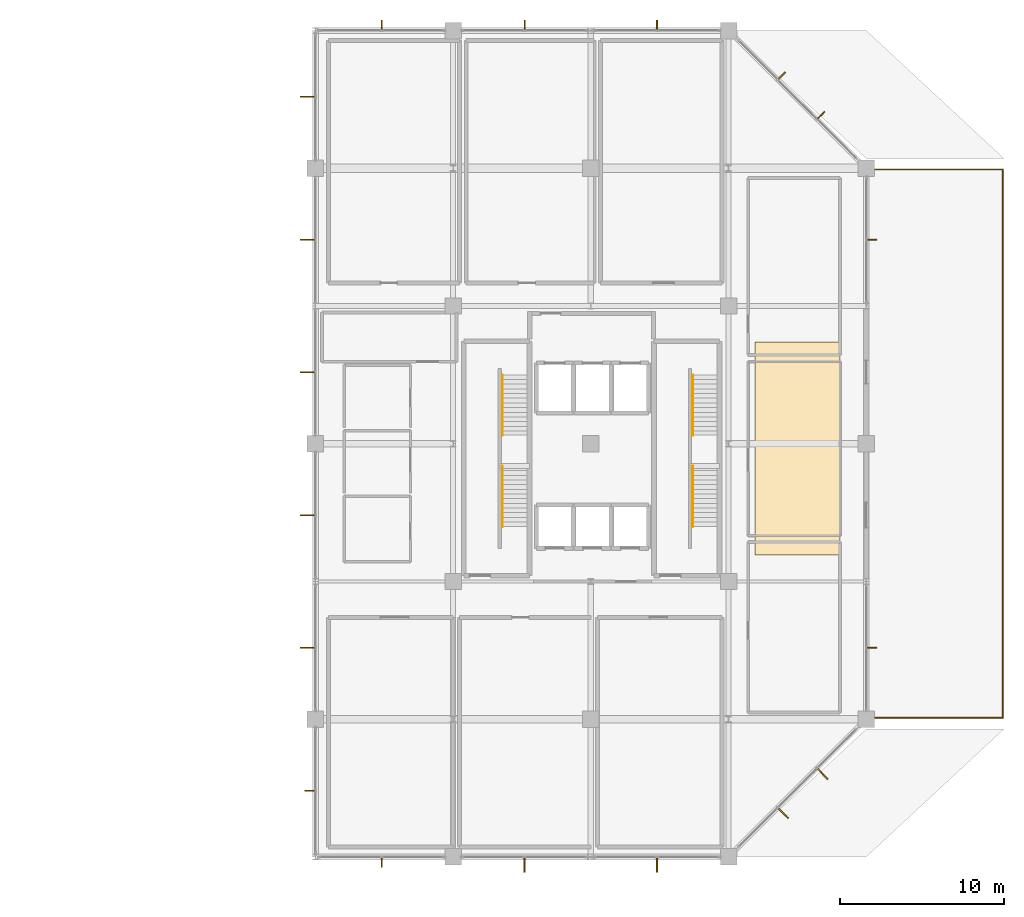
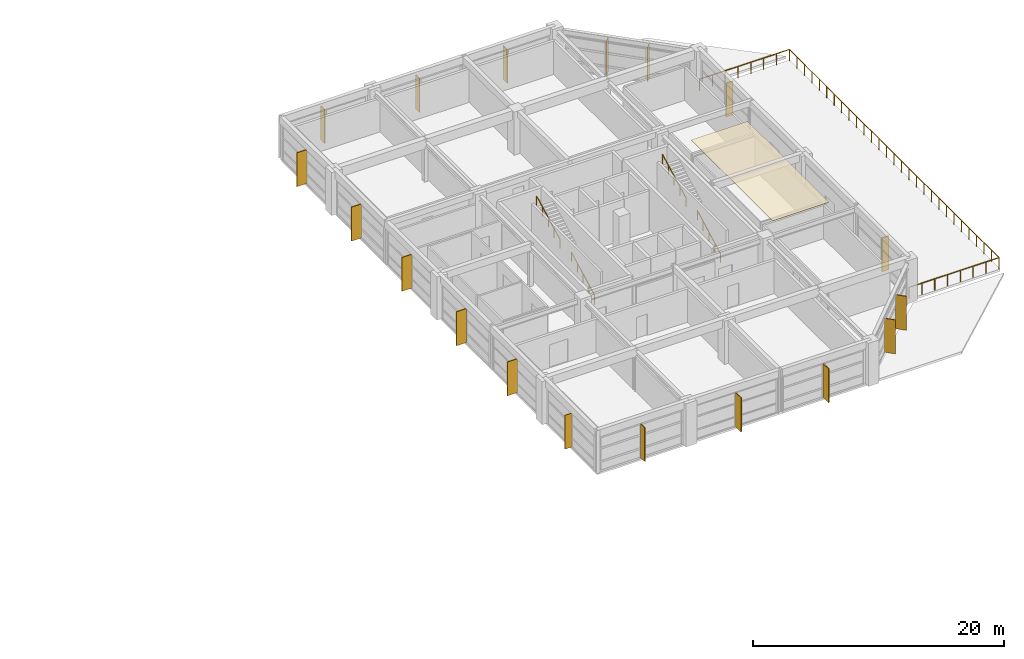
# One storey, part 21 of 21: 18 shading devices, 5 railings, 1 covering.
"""IFC4 building model written with IfcOpenShell, lengths in metres."""

from ifc_helpers import new_model, si_unit, direction, frame, origin, origin_2d, place, context, subcontext, project, spatial, polyline, rectangle, circle, outline, extrude, material, layer, layer_set, type_object, element, save


model = new_model("IFC4")

# Units and contexts
model_context = context("Model", 3, precision=1e-05, world=origin(), true_north=direction((0.0, 1.0)))
body_context = subcontext(model_context, "Body", "Model", "MODEL_VIEW")
ifc_project = project(units=[si_unit("LENGTHUNIT", "METRE"), si_unit("AREAUNIT", "SQUARE_METRE"), si_unit("VOLUMEUNIT", "CUBIC_METRE"), si_unit("PLANEANGLEUNIT", "RADIAN"), si_unit("MASSUNIT", "GRAM", prefix="KILO")], contexts=[model_context])

# Site, building, storey
site_placement = place(None, origin())
site = spatial("IfcSite", under=ifc_project, at=site_placement, CompositionType="ELEMENT")
building_placement = place(site_placement, origin())
building = spatial("IfcBuilding", under=site, at=building_placement, Name="Xuanlan Plaza Opera House", CompositionType="ELEMENT")
storey_placement = place(building_placement, frame((0.0, 0.0, 44.699951171875)))
storey = spatial("IfcBuildingStorey", under=building, at=storey_placement, Name="L10", CompositionType="ELEMENT", Elevation=44.699951171875)

# Railing
ifc_material_1 = material(Name="Stainless Steel S30408", Category="steel")
railing_type_1 = type_object("IfcRailingType", Name="ENV-RL-GR02", PredefinedType="GUARDRAIL", material=ifc_material_1)
railing_placement = place(storey_placement, frame((159.64990234375, 42.080078125, 0.0)))
element("IfcRailing", 1, at=railing_placement, inside=storey, type_object=railing_type_1, Name="Terrace Perimeter Guardrail TERR-L10", PredefinedType="GUARDRAIL", context=body_context, shape_type="SweptSolid", body=[
    extrude(circle(Radius=0.02392578125, at=origin_2d()), frame((0.0, 0.0, 1.09619140625), z_axis=(1.0, 0.0, 0.0), x_axis=(0.0, 1.0, 0.0)), (0.0, 0.0, 1.0), 8.27001953125),
    extrude(circle(Radius=0.02392578125, at=origin_2d()), frame((8.27001953125, 0.0, 1.09619140625), z_axis=(0.0, 1.0, 0.0), x_axis=(-1.0, 0.0, 0.0)), (0.0, 0.0, 1.0), 33.43994140625),
    extrude(circle(Radius=0.02392578125, at=origin_2d()), frame((8.27001953125, 33.43994140625, 1.09619140625), z_axis=(-1.0, 0.0, 0.0), x_axis=(0.0, -1.0, 0.0)), (0.0, 0.0, 1.0), 8.27001953125),
    extrude(circle(Radius=0.02099609375, at=origin_2d()), origin(), (0.0, 0.0, 1.0), 1.072021484375),
    extrude(circle(Radius=0.02099609375, at=origin_2d()), frame((1.181396484375, 0.0, 0.0)), (0.0, 0.0, 1.0), 1.072021484375),
    extrude(circle(Radius=0.02099609375, at=origin_2d()), frame((2.36279296875, 0.0, 0.0)), (0.0, 0.0, 1.0), 1.072021484375),
    extrude(circle(Radius=0.02099609375, at=origin_2d()), frame((3.544189453125, 0.0, 0.0)), (0.0, 0.0, 1.0), 1.072021484375),
    extrude(circle(Radius=0.02099609375, at=origin_2d()), frame((4.725830078125, 0.0, 0.0)), (0.0, 0.0, 1.0), 1.072021484375),
    extrude(circle(Radius=0.02099609375, at=origin_2d()), frame((5.9072265625, 0.0, 0.0)), (0.0, 0.0, 1.0), 1.072021484375),
    extrude(circle(Radius=0.02099609375, at=origin_2d()), frame((7.088623046875, 0.0, 0.0)), (0.0, 0.0, 1.0), 1.072021484375),
    extrude(circle(Radius=0.02099609375, at=origin_2d()), frame((8.27001953125, 0.0, 0.0)), (0.0, 0.0, 1.0), 1.072021484375),
    extrude(circle(Radius=0.02099609375, at=origin_2d()), frame((8.27001953125, 1.1943359375, 0.0)), (0.0, 0.0, 1.0), 1.072021484375),
    extrude(circle(Radius=0.02099609375, at=origin_2d()), frame((8.27001953125, 2.388671875, 0.0)), (0.0, 0.0, 1.0), 1.072021484375),
    extrude(circle(Radius=0.02099609375, at=origin_2d()), frame((8.27001953125, 3.582763671875, 0.0)), (0.0, 0.0, 1.0), 1.072021484375),
    extrude(circle(Radius=0.02099609375, at=origin_2d()), frame((8.27001953125, 4.777099609375, 0.0)), (0.0, 0.0, 1.0), 1.072021484375),
    extrude(circle(Radius=0.02099609375, at=origin_2d()), frame((8.27001953125, 5.971435546875, 0.0)), (0.0, 0.0, 1.0), 1.072021484375),
    extrude(circle(Radius=0.02099609375, at=origin_2d()), frame((8.27001953125, 7.165771484375, 0.0)), (0.0, 0.0, 1.0), 1.072021484375),
    extrude(circle(Radius=0.02099609375, at=origin_2d()), frame((8.27001953125, 8.35986328125, 0.0)), (0.0, 0.0, 1.0), 1.072021484375),
    extrude(circle(Radius=0.02099609375, at=origin_2d()), frame((8.27001953125, 9.55419921875, 0.0)), (0.0, 0.0, 1.0), 1.072021484375),
    extrude(circle(Radius=0.02099609375, at=origin_2d()), frame((8.27001953125, 10.74853515625, 0.0)), (0.0, 0.0, 1.0), 1.072021484375),
    extrude(circle(Radius=0.02099609375, at=origin_2d()), frame((8.27001953125, 11.94287109375, 0.0)), (0.0, 0.0, 1.0), 1.072021484375),
    extrude(circle(Radius=0.02099609375, at=origin_2d()), frame((8.27001953125, 13.13720703125, 0.0)), (0.0, 0.0, 1.0), 1.072021484375),
    extrude(circle(Radius=0.02099609375, at=origin_2d()), frame((8.27001953125, 14.331298828125, 0.0)), (0.0, 0.0, 1.0), 1.072021484375),
    extrude(circle(Radius=0.02099609375, at=origin_2d()), frame((8.27001953125, 15.525634765625, 0.0)), (0.0, 0.0, 1.0), 1.072021484375),
    extrude(circle(Radius=0.02099609375, at=origin_2d()), frame((8.27001953125, 16.719970703125, 0.0)), (0.0, 0.0, 1.0), 1.072021484375),
    extrude(circle(Radius=0.02099609375, at=origin_2d()), frame((8.27001953125, 17.914306640625, 0.0)), (0.0, 0.0, 1.0), 1.072021484375),
    extrude(circle(Radius=0.02099609375, at=origin_2d()), frame((8.27001953125, 19.108642578125, 0.0)), (0.0, 0.0, 1.0), 1.072021484375),
    extrude(circle(Radius=0.02099609375, at=origin_2d()), frame((8.27001953125, 20.302734375, 0.0)), (0.0, 0.0, 1.0), 1.072021484375),
    extrude(circle(Radius=0.02099609375, at=origin_2d()), frame((8.27001953125, 21.4970703125, 0.0)), (0.0, 0.0, 1.0), 1.072021484375),
    extrude(circle(Radius=0.02099609375, at=origin_2d()), frame((8.27001953125, 22.69140625, 0.0)), (0.0, 0.0, 1.0), 1.072021484375),
    extrude(circle(Radius=0.02099609375, at=origin_2d()), frame((8.27001953125, 23.8857421875, 0.0)), (0.0, 0.0, 1.0), 1.072021484375),
    extrude(circle(Radius=0.02099609375, at=origin_2d()), frame((8.27001953125, 25.080078125, 0.0)), (0.0, 0.0, 1.0), 1.072021484375),
    extrude(circle(Radius=0.02099609375, at=origin_2d()), frame((8.27001953125, 26.274169921875, 0.0)), (0.0, 0.0, 1.0), 1.072021484375),
    extrude(circle(Radius=0.02099609375, at=origin_2d()), frame((8.27001953125, 27.468505859375, 0.0)), (0.0, 0.0, 1.0), 1.072021484375),
    extrude(circle(Radius=0.02099609375, at=origin_2d()), frame((8.27001953125, 28.662841796875, 0.0)), (0.0, 0.0, 1.0), 1.072021484375),
    extrude(circle(Radius=0.02099609375, at=origin_2d()), frame((8.27001953125, 29.857177734375, 0.0)), (0.0, 0.0, 1.0), 1.072021484375),
    extrude(circle(Radius=0.02099609375, at=origin_2d()), frame((8.27001953125, 31.05126953125, 0.0)), (0.0, 0.0, 1.0), 1.072021484375),
    extrude(circle(Radius=0.02099609375, at=origin_2d()), frame((8.27001953125, 32.24560546875, 0.0)), (0.0, 0.0, 1.0), 1.072021484375),
    extrude(circle(Radius=0.02099609375, at=origin_2d()), frame((8.27001953125, 33.43994140625, 0.0)), (0.0, 0.0, 1.0), 1.072021484375),
    extrude(circle(Radius=0.02099609375, at=origin_2d()), frame((7.088623046875, 33.43994140625, 0.0)), (0.0, 0.0, 1.0), 1.072021484375),
    extrude(circle(Radius=0.02099609375, at=origin_2d()), frame((5.9072265625, 33.43994140625, 0.0)), (0.0, 0.0, 1.0), 1.072021484375),
    extrude(circle(Radius=0.02099609375, at=origin_2d()), frame((4.725830078125, 33.43994140625, 0.0)), (0.0, 0.0, 1.0), 1.072021484375),
    extrude(circle(Radius=0.02099609375, at=origin_2d()), frame((3.544189453125, 33.43994140625, 0.0)), (0.0, 0.0, 1.0), 1.072021484375),
    extrude(circle(Radius=0.02099609375, at=origin_2d()), frame((2.36279296875, 33.43994140625, 0.0)), (0.0, 0.0, 1.0), 1.072021484375),
    extrude(circle(Radius=0.02099609375, at=origin_2d()), frame((1.181396484375, 33.43994140625, 0.0)), (0.0, 0.0, 1.0), 1.072021484375),
    extrude(circle(Radius=0.02099609375, at=origin_2d()), frame((0.0, 33.43994140625, 0.0)), (0.0, 0.0, 1.0), 1.072021484375),
])

# Shading devices
ifc_material_2 = material(Name="Anodised Aluminium 6063-T6", Category="aluminium")
shading_device_type_1 = type_object("IfcShadingDeviceType", Name="ENV-SHD-BRS01", PredefinedType="JALOUSIE", material=ifc_material_2)
for number, where, z_axis, x_axis, name in (
    (2, (130.03759765625, 33.27490234375, 0.0400390625), (0.0, 0.0, 1.0), (0.0, -1.0, 0.0), "Parametric Sunshade Fin L10-0365"),
    (3, (159.925048828125, 46.362548828125, 0.0400390625), (0.0, 0.0, 1.0), (1.0, 0.0, 0.0), "Parametric Sunshade Fin L10-0370"),
    (4, (159.925048828125, 71.237548828125, 0.0400390625), (0.0, 0.0, 1.0), (1.0, 0.0, 0.0), "Parametric Sunshade Fin L10-0371"),
    (5, (156.830078125, 78.82958984375, 0.0400390625), (0.0, 0.0, 1.0), (0.707106781187, 0.707106781187, 0.0), "Parametric Sunshade Fin L10-0372"),
    (6, (154.429443359375, 81.22998046875, 0.0400390625), (0.0, 0.0, 1.0), (0.707106781187, 0.707106781187, 0.0), "Parametric Sunshade Fin L10-0373"),
    (7, (146.83740234375, 84.324951171875, 0.0400390625), (0.0, 0.0, 1.0), (0.0, 1.0, 0.0), "Parametric Sunshade Fin L10-0374"),
    (8, (138.762451171875, 84.324951171875, 0.0400390625), (0.0, 0.0, 1.0), (0.0, 1.0, 0.0), "Parametric Sunshade Fin L10-0375"),
    (9, (130.03759765625, 84.324951171875, 0.0400390625), (0.0, 0.0, 1.0), (0.0, 1.0, 0.0), "Parametric Sunshade Fin L10-0376"),
    (10, (125.675048828125, 37.637451171875, 0.0400390625), (0.0, 0.0, 1.0), (-1.0, 0.0, 0.0), "Parametric Sunshade Fin L10-0382"),
):
    element("IfcShadingDevice", number, at=place(storey_placement, frame(where, z_axis=z_axis, x_axis=x_axis)), inside=storey, type_object=shading_device_type_1, Name=name, PredefinedType="JALOUSIE", context=body_context, shape_type="SweptSolid", body=[
        extrude(rectangle(XDim=0.639892578125, YDim=0.070068359375, at=origin_2d()), origin(), (0.0, 0.0, 1.0), 3.300048828125),
    ])
shading_device_type_2 = type_object("IfcShadingDeviceType", Name="ENV-SHD-BRS02", PredefinedType="JALOUSIE", material=ifc_material_2)
for number, where, z_axis, x_axis, name in (
    (11, (138.762451171875, 33.135009765625, 0.0400390625), (0.0, 0.0, 1.0), (0.0, -1.0, 0.0), "Parametric Sunshade Fin L10-0366"),
    (12, (146.83740234375, 33.135009765625, 0.0400390625), (0.0, 0.0, 1.0), (0.0, -1.0, 0.0), "Parametric Sunshade Fin L10-0367"),
    (13, (154.528564453125, 36.27099609375, 0.0400390625), (0.0, 0.0, 1.0), (0.707106781187, -0.707106781187, 0.0), "Parametric Sunshade Fin L10-0368"),
    (14, (156.92919921875, 38.67138671875, 0.0400390625), (0.0, 0.0, 1.0), (0.707106781187, -0.707106781187, 0.0), "Parametric Sunshade Fin L10-0369"),
    (15, (125.534912109375, 79.96240234375, 0.0400390625), (0.0, 0.0, 1.0), (-1.0, 0.0, 0.0), "Parametric Sunshade Fin L10-0377"),
    (16, (125.534912109375, 71.237548828125, 0.0400390625), (0.0, 0.0, 1.0), (-1.0, 0.0, 0.0), "Parametric Sunshade Fin L10-0378"),
    (17, (125.534912109375, 63.16259765625, 0.0400390625), (0.0, 0.0, 1.0), (-1.0, 0.0, 0.0), "Parametric Sunshade Fin L10-0379"),
    (18, (125.534912109375, 54.4375, 0.0400390625), (0.0, 0.0, 1.0), (-1.0, 0.0, 0.0), "Parametric Sunshade Fin L10-0380"),
    (19, (125.534912109375, 46.362548828125, 0.0400390625), (0.0, 0.0, 1.0), (-1.0, 0.0, 0.0), "Parametric Sunshade Fin L10-0381"),
):
    element("IfcShadingDevice", number, at=place(storey_placement, frame(where, z_axis=z_axis, x_axis=x_axis)), inside=storey, type_object=shading_device_type_2, Name=name, PredefinedType="JALOUSIE", context=body_context, shape_type="SweptSolid", body=[
        extrude(rectangle(XDim=0.919921875, YDim=0.080078125, at=origin_2d()), origin(), (0.0, 0.0, 1.0), 3.300048828125),
    ])

# Covering
ifc_material_3 = material(Name="Gypsum Acoustic Board", Category="gypsum")
ifc_layer = layer(ifc_material_3, 0.044921875)
ifc_layer_set = layer_set([ifc_layer], Name="Gypsum Acoustic Board")
covering_type = type_object("IfcCoveringType", Name="INT-COV-CLG-01", PredefinedType="CEILING", material=ifc_layer_set)
covering_placement = place(storey_placement, frame((0.0, 0.0, 3.9150390625)))
element("IfcCovering", 20, at=covering_placement, inside=storey, type_object=covering_type, Name="Acoustic Baffle Ceiling L10", PredefinedType="CEILING", context=body_context, shape_type="SweptSolid", body=[
    extrude(outline(polyline([(152.800048828125, 52.0), (158.0, 52.0), (158.0, 65.0), (152.800048828125, 65.0), (152.800048828125, 52.0)])), origin(), (0.0, 0.0, 1.0), 0.044921875),
])

# Railings
railing_type_2 = type_object("IfcRailingType", Name="INT-RL-HR01", PredefinedType="HANDRAIL", material=ifc_material_1)
for number, where, name in (
    (21, (137.409912109375, 53.739990234375, 0.150146484375), "Stair Handrail ST-T1 L10 Flight 1"),
    (22, (137.409912109375, 59.294921875, 2.25), "Stair Handrail ST-T1 L10 Flight 2"),
    (23, (149.010009765625, 53.739990234375, 0.150146484375), "Stair Handrail ST-T2 L10 Flight 1"),
    (24, (149.010009765625, 59.294921875, 2.25), "Stair Handrail ST-T2 L10 Flight 2"),
):
    element("IfcRailing", number, at=place(storey_placement, frame(where)), inside=storey, type_object=railing_type_2, Name=name, PredefinedType="HANDRAIL", context=body_context, shape_type="SweptSolid", body=[
        extrude(circle(Radius=0.02392578125, at=origin_2d()), frame((0.0, 0.0, 0.8759765625), z_axis=(0.0, 0.88492707638, 0.465729609848), x_axis=(-1.0, 0.0, 0.0)), (0.0, 0.0, 1.0), 4.186767578125),
        extrude(circle(Radius=0.02099609375, at=origin_2d()), origin(), (0.0, 0.0, 1.0), 0.851806640625),
        extrude(circle(Radius=0.02099609375, at=origin_2d()), frame((0.0, 0.92626953125, 0.487548828125)), (0.0, 0.0, 1.0), 0.851806640625),
        extrude(circle(Radius=0.02099609375, at=origin_2d()), frame((0.0, 1.8525390625, 0.97509765625)), (0.0, 0.0, 1.0), 0.851806640625),
        extrude(circle(Radius=0.02099609375, at=origin_2d()), frame((0.0, 2.77880859375, 1.46240234375)), (0.0, 0.0, 1.0), 0.851806640625),
        extrude(circle(Radius=0.02099609375, at=origin_2d()), frame((0.0, 3.705078125, 1.949951171875)), (0.0, 0.0, 1.0), 0.851806640625),
    ])

save(model, "model.ifc")
